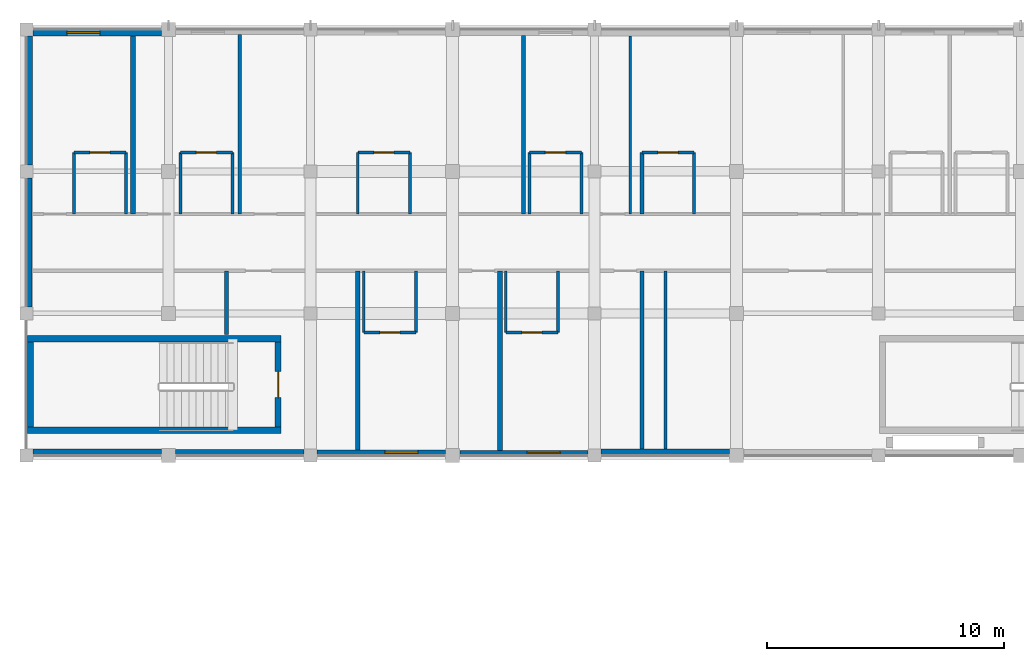
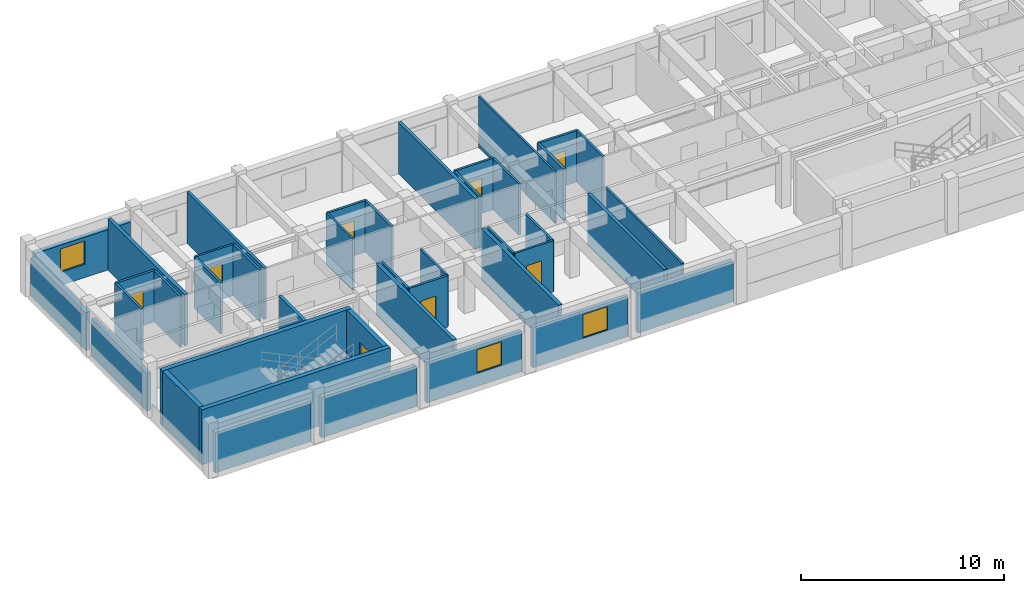
# One storey, part 9 of 22: 42 walls, 8 doors, 3 windows, 11 openings.
"""IFC4 building model written with IfcOpenShell, lengths in metres."""

from ifc_helpers import new_model, si_unit, direction, frame, frame_2d, origin, place, context, subcontext, project, spatial, rectangle, extrude, material, layer, layer_set, type_object, element, fill, save


model = new_model("IFC4")

# Units and contexts
model_context = context("Model", 3, precision=1e-05, world=origin(), true_north=direction((0.0, 1.0)))
body_context = subcontext(model_context, "Body", "Model", "MODEL_VIEW")
ifc_project = project(units=[si_unit("LENGTHUNIT", "METRE"), si_unit("AREAUNIT", "SQUARE_METRE"), si_unit("VOLUMEUNIT", "CUBIC_METRE"), si_unit("PLANEANGLEUNIT", "RADIAN"), si_unit("MASSUNIT", "GRAM", prefix="KILO"), si_unit("THERMODYNAMICTEMPERATUREUNIT", "KELVIN"), si_unit("POWERUNIT", "WATT")], contexts=[model_context])

# Site, building, storey
site_placement = place(None, origin())
site = spatial("IfcSite", under=ifc_project, at=site_placement, CompositionType="ELEMENT")
building_placement = place(site_placement, origin())
building = spatial("IfcBuilding", under=site, at=building_placement, Name="Phaisarnlok Congress Hotel", CompositionType="ELEMENT")
storey_placement = place(building_placement, frame((0.0, 0.0, 28.199951171875)))
storey = spatial("IfcBuildingStorey", under=building, at=storey_placement, Name="L06", CompositionType="ELEMENT", Elevation=28.199951171875)

# Wall, opening, window
ifc_material_1 = material(Name="Concrete C40/50", Category="concrete")
ifc_layer_1 = layer(ifc_material_1, 0.2099609375, Name="Concrete C40/50")
ifc_layer_set_1 = layer_set([ifc_layer_1], Name="Concrete C40/50")
wall_type_1 = type_object("IfcWallType", Name="WL-EXT-210", PredefinedType="SOLIDWALL", material=ifc_layer_set_1)
wall_1_placement = place(storey_placement, frame((84.304931640625, 108.10498046875, 0.0), z_axis=(0.0, 0.0, 1.0), x_axis=(1.0, 0.0, 0.0)))
wall_1 = element("IfcWall", 1, at=wall_1_placement, inside=storey, type_object=wall_type_1, Name="Exterior wall EW-07 (L06)", PredefinedType="SOLIDWALL", context=body_context, shape_type="SweptSolid", body=[
    extrude(rectangle(XDim=5.4150390625, YDim=0.2099609375, at=frame_2d((2.70751953125, 0.0))), origin(), (0.0, 0.0, 1.0), 2.429931640625),
])
opening_1_placement = place(wall_1_placement, frame((2.844970703125, 0.0, 0.800048828125)))
opening_1 = element("IfcOpeningElement", 2, at=opening_1_placement, cuts=wall_1, Name="Opening W-13", PredefinedType="OPENING", context=body_context, shape_type="SweptSolid", body=[
    extrude(rectangle(XDim=1.39990234375, YDim=1.39990234375, at=frame_2d((0.699951171875, 0.699951171875))), frame((0.0, 0.114990234375, 0.0), z_axis=(0.0, -1.0, 0.0), x_axis=(1.0, 0.0, 0.0)), (0.0, 0.0, 1.0), 0.22998046875),
])
ifc_material_2 = material(Name="Thermally Broken Aluminium & Low-E Double Glazing", Category="aluminium")
window_type = type_object("IfcWindowType", Name="WIN-POD-1400", PartitioningType="SINGLE_PANEL", PredefinedType="WINDOW", material=ifc_material_2)
window_1_placement = place(opening_1_placement, origin())
window_1 = element("IfcWindow", 3, at=window_1_placement, inside=storey, type_object=window_type, Name="Guestroom window W-13 (L06)", OverallHeight=1.39990234375, OverallWidth=1.39990234375, PartitioningType="SINGLE_PANEL", PredefinedType="WINDOW", context=body_context, shape_type="SweptSolid", body=[
    extrude(rectangle(XDim=1.39990234375, YDim=1.39990234375, at=frame_2d((0.699951171875, 0.699951171875))), frame((0.0, 0.030029296875, 0.0), z_axis=(0.0, -1.0, 0.0), x_axis=(1.0, 0.0, 0.0)), (0.0, 0.0, 1.0), 0.06005859375),
])
fill(opening_1, window_1)

# Wall
ifc_layer_2 = layer(ifc_material_1, 0.22998046875, Name="Concrete C40/50")
ifc_layer_set_2 = layer_set([ifc_layer_2], Name="Concrete C40/50")
wall_type_2 = type_object("IfcWallType", Name="WL-EXT-230", PredefinedType="SOLIDWALL", material=ifc_layer_set_2)
wall_2_placement = place(storey_placement, frame((66.114990234375, 119.719970703125, 0.0), z_axis=(0.0, 0.0, 1.0), x_axis=(0.0, -1.0, 0.0)))
element("IfcWall", 4, at=wall_2_placement, inside=storey, type_object=wall_type_2, Name="Exterior wall EW-06 (L06)", PredefinedType="SOLIDWALL", context=body_context, shape_type="SweptSolid", body=[
    extrude(rectangle(XDim=5.43994140625, YDim=0.22998046875, at=frame_2d((2.719970703125, 0.0))), origin(), (0.0, 0.0, 1.0), 2.280029296875),
])

# Wall, opening, window
wall_3_placement = place(storey_placement, frame((78.280029296875, 108.114990234375, 0.0), z_axis=(0.0, 0.0, 1.0), x_axis=(1.0, 0.0, 0.0)))
wall_3 = element("IfcWall", 5, at=wall_3_placement, inside=storey, type_object=wall_type_2, Name="Exterior wall EW-06 (L06)", PredefinedType="SOLIDWALL", context=body_context, shape_type="SweptSolid", body=[
    extrude(rectangle(XDim=5.4150390625, YDim=0.22998046875, at=frame_2d((2.70751953125, 0.0))), origin(), (0.0, 0.0, 1.0), 2.429931640625),
])
opening_2_placement = place(wall_3_placement, frame((2.85791015625, 0.0, 0.800048828125)))
opening_2 = element("IfcOpeningElement", 6, at=opening_2_placement, cuts=wall_3, Name="Opening W-13", PredefinedType="OPENING", context=body_context, shape_type="SweptSolid", body=[
    extrude(rectangle(XDim=1.39990234375, YDim=1.39990234375, at=frame_2d((0.699951171875, 0.699951171875))), frame((0.0, 0.125, 0.0), z_axis=(0.0, -1.0, 0.0), x_axis=(1.0, 0.0, 0.0)), (0.0, 0.0, 1.0), 0.25),
])
window_2_placement = place(opening_2_placement, origin())
window_2 = element("IfcWindow", 7, at=window_2_placement, inside=storey, type_object=window_type, Name="Guestroom window W-13 (L06)", OverallHeight=1.39990234375, OverallWidth=1.39990234375, PartitioningType="SINGLE_PANEL", PredefinedType="WINDOW", context=body_context, shape_type="SweptSolid", body=[
    extrude(rectangle(XDim=1.39990234375, YDim=1.39990234375, at=frame_2d((0.699951171875, 0.699951171875))), frame((0.0, 0.030029296875, 0.0), z_axis=(0.0, -1.0, 0.0), x_axis=(1.0, 0.0, 0.0)), (0.0, 0.0, 1.0), 0.06005859375),
])
fill(opening_2, window_2)

# Walls
ifc_layer_3 = layer(ifc_material_1, 0.25, Name="Concrete C40/50")
ifc_layer_set_3 = layer_set([ifc_layer_3], Name="Concrete C40/50")
wall_type_3 = type_object("IfcWallType", Name="WL-EXT-250", PredefinedType="SOLIDWALL", material=ifc_layer_set_3)
wall_4_placement = place(storey_placement, frame((66.125, 125.719970703125, 0.0), z_axis=(0.0, 0.0, 1.0), x_axis=(0.0, -1.0, 0.0)))
element("IfcWall", 8, at=wall_4_placement, inside=storey, type_object=wall_type_3, Name="Exterior wall EW-05 (L06)", PredefinedType="SOLIDWALL", context=body_context, shape_type="SweptSolid", body=[
    extrude(rectangle(XDim=5.43994140625, YDim=0.25, at=frame_2d((2.719970703125, 0.0))), origin(), (0.0, 0.0, 1.0), 2.280029296875),
])
wall_5_placement = place(storey_placement, frame((72.304931640625, 108.125, 0.0), z_axis=(0.0, 0.0, 1.0), x_axis=(1.0, 0.0, 0.0)))
element("IfcWall", 9, at=wall_5_placement, inside=storey, type_object=wall_type_3, Name="Exterior wall EW-05 (L06)", PredefinedType="SOLIDWALL", context=body_context, shape_type="SweptSolid", body=[
    extrude(rectangle(XDim=5.4150390625, YDim=0.25, at=frame_2d((2.70751953125, 0.0))), origin(), (0.0, 0.0, 1.0), 2.429931640625),
])

# Wall, opening, window
ifc_layer_4 = layer(ifc_material_1, 0.27001953125, Name="Concrete C40/50")
ifc_layer_set_4 = layer_set([ifc_layer_4], Name="Concrete C40/50")
wall_type_4 = type_object("IfcWallType", Name="WL-EXT-270", PredefinedType="SOLIDWALL", material=ifc_layer_set_4)
wall_6_placement = place(storey_placement, frame((71.695068359375, 125.864990234375, 0.0), z_axis=(0.0, 0.0, 1.0), x_axis=(-1.0, 0.0, 0.0)))
wall_6 = element("IfcWall", 10, at=wall_6_placement, inside=storey, type_object=wall_type_4, Name="Exterior wall EW-04 (L06)", PredefinedType="SOLIDWALL", context=body_context, shape_type="SweptSolid", body=[
    extrude(rectangle(XDim=5.4150390625, YDim=0.27001953125, at=frame_2d((2.70751953125, 0.0))), origin(), (0.0, 0.0, 1.0), 2.429931640625),
])
opening_3_placement = place(wall_6_placement, frame((2.594970703125, 0.0, 0.800048828125)))
opening_3 = element("IfcOpeningElement", 11, at=opening_3_placement, cuts=wall_6, Name="Opening W-13", PredefinedType="OPENING", context=body_context, shape_type="SweptSolid", body=[
    extrude(rectangle(XDim=1.39990234375, YDim=1.39990234375, at=frame_2d((0.699951171875, 0.699951171875))), frame((0.0, 0.14501953125, 0.0), z_axis=(0.0, -1.0, 0.0), x_axis=(1.0, 0.0, 0.0)), (0.0, 0.0, 1.0), 0.2900390625),
])
window_3_placement = place(opening_3_placement, origin())
window_3 = element("IfcWindow", 12, at=window_3_placement, inside=storey, type_object=window_type, Name="Guestroom window W-13 (L06)", OverallHeight=1.39990234375, OverallWidth=1.39990234375, PartitioningType="SINGLE_PANEL", PredefinedType="WINDOW", context=body_context, shape_type="SweptSolid", body=[
    extrude(rectangle(XDim=1.39990234375, YDim=1.39990234375, at=frame_2d((0.699951171875, 0.699951171875))), frame((0.0, 0.030029296875, 0.0), z_axis=(0.0, -1.0, 0.0), x_axis=(1.0, 0.0, 0.0)), (0.0, 0.0, 1.0), 0.06005859375),
])
fill(opening_3, window_3)

# Walls
for number, where, z_axis, x_axis, name in (
    (13, (66.280029296875, 108.135009765625, 0.0), (0.0, 0.0, 1.0), (1.0, 0.0, 0.0), "Exterior wall EW-04 (L06)"),
    (14, (90.280029296875, 108.135009765625, 0.0), (0.0, 0.0, 1.0), (1.0, 0.0, 0.0), "Exterior wall EW-04 (L06)"),
):
    element("IfcWall", number, at=place(storey_placement, frame(where, z_axis=z_axis, x_axis=x_axis)), inside=storey, type_object=wall_type_4, Name=name, PredefinedType="SOLIDWALL", context=body_context, shape_type="SweptSolid", body=[
        extrude(rectangle(XDim=5.4150390625, YDim=0.27001953125, at=frame_2d((2.70751953125, 0.0))), origin(), (0.0, 0.0, 1.0), 2.429931640625),
    ])
ifc_material_3 = material(Name="Service Riser Shaftwall Partition", Category="gypsum")
ifc_layer_5 = layer(ifc_material_3, 0.10498046875, Name="Service Riser Shaftwall Partition")
ifc_layer_set_5 = layer_set([ifc_layer_5], Name="Service Riser Shaftwall Partition")
wall_type_5 = type_object("IfcWallType", Name="WL-INT-105", PredefinedType="PARTITIONING", material=ifc_layer_set_5)
wall_7_placement = place(storey_placement, frame((80.0, 118.199951171875, 0.0), z_axis=(0.0, 0.0, 1.0), x_axis=(0.0, 1.0, 0.0)))
element("IfcWall", 15, at=wall_7_placement, inside=storey, type_object=wall_type_5, Name="Interior partition wall IW-08 (L06)", PredefinedType="PARTITIONING", context=body_context, shape_type="SweptSolid", body=[
    extrude(rectangle(XDim=2.60009765625, YDim=0.10498046875, at=frame_2d((1.300048828125, 0.0))), origin(), (0.0, 0.0, 1.0), 3.080078125),
])
wall_8_placement = place(storey_placement, frame((91.5, 118.199951171875, 0.0), z_axis=(0.0, 0.0, 1.0), x_axis=(0.0, 1.0, 0.0)))
element("IfcWall", 16, at=wall_8_placement, inside=storey, type_object=wall_type_5, Name="Interior partition wall IW-08 (L06)", PredefinedType="PARTITIONING", context=body_context, shape_type="SweptSolid", body=[
    extrude(rectangle(XDim=7.525146484375, YDim=0.10498046875, at=frame_2d((3.7626953125, 0.0))), origin(), (0.0, 0.0, 1.0), 3.080078125),
])
ifc_material_4 = material(Name="Lightweight Metal-Stud Gypsum Partition", Category="gypsum")
ifc_layer_6 = layer(ifc_material_4, 0.1201171875, Name="Lightweight Metal-Stud Gypsum Partition")
ifc_layer_set_6 = layer_set([ifc_layer_6], Name="Lightweight Metal-Stud Gypsum Partition")
wall_type_6 = type_object("IfcWallType", Name="WL-INT-120", PredefinedType="PARTITIONING", material=ifc_layer_set_6)
for number, where, z_axis, x_axis, name in (
    (17, (70.199951171875, 118.199951171875, 0.0), (0.0, 0.0, 1.0), (0.0, 1.0, 0.0), "Interior partition wall IW-07 (L06)"),
    (18, (72.5, 118.199951171875, 0.0), (0.0, 0.0, 1.0), (0.0, 1.0, 0.0), "Interior partition wall IW-07 (L06)"),
    (19, (74.699951171875, 118.199951171875, 0.0), (0.0, 0.0, 1.0), (0.0, 1.0, 0.0), "Interior partition wall IW-07 (L06)"),
    (20, (80.25, 113.199951171875, 0.0), (0.0, 0.0, 1.0), (0.0, 1.0, 0.0), "Interior partition wall IW-07 (L06)"),
    (21, (82.449951171875, 113.199951171875, 0.0), (0.0, 0.0, 1.0), (0.0, 1.0, 0.0), "Interior partition wall IW-07 (L06)"),
    (22, (86.25, 113.199951171875, 0.0), (0.0, 0.0, 1.0), (0.0, 1.0, 0.0), "Interior partition wall IW-07 (L06)"),
    (23, (87.25, 118.199951171875, 0.0), (0.0, 0.0, 1.0), (0.0, 1.0, 0.0), "Interior partition wall IW-07 (L06)"),
    (24, (89.449951171875, 118.199951171875, 0.0), (0.0, 0.0, 1.0), (0.0, 1.0, 0.0), "Interior partition wall IW-07 (L06)"),
):
    element("IfcWall", number, at=place(storey_placement, frame(where, z_axis=z_axis, x_axis=x_axis)), inside=storey, type_object=wall_type_6, Name=name, PredefinedType="PARTITIONING", context=body_context, shape_type="SweptSolid", body=[
        extrude(rectangle(XDim=2.60009765625, YDim=0.1201171875, at=frame_2d((1.300048828125, 0.0))), origin(), (0.0, 0.0, 1.0), 3.080078125),
    ])
wall_9_placement = place(storey_placement, frame((93.0, 108.27490234375, 0.0), z_axis=(0.0, 0.0, 1.0), x_axis=(0.0, 1.0, 0.0)))
element("IfcWall", 25, at=wall_9_placement, inside=storey, type_object=wall_type_6, Name="Interior partition wall IW-07 (L06)", PredefinedType="PARTITIONING", context=body_context, shape_type="SweptSolid", body=[
    extrude(rectangle(XDim=7.525146484375, YDim=0.1201171875, at=frame_2d((3.7626953125, 0.0))), origin(), (0.0, 0.0, 1.0), 3.080078125),
])

# Wall, opening, door
wall_10_placement = place(storey_placement, frame((86.25, 113.199951171875, 0.0), z_axis=(0.0, 0.0, 1.0), x_axis=(1.0, 0.0, 0.0)))
wall_10 = element("IfcWall", 26, at=wall_10_placement, inside=storey, type_object=wall_type_6, Name="Interior partition wall IW-07 (L06)", PredefinedType="PARTITIONING", context=body_context, shape_type="SweptSolid", body=[
    extrude(rectangle(XDim=2.199951171875, YDim=0.1201171875, at=frame_2d((1.10009765625, 0.0))), origin(), (0.0, 0.0, 1.0), 3.080078125),
])
opening_4_placement = place(wall_10_placement, frame((0.675048828125, 0.0, 0.0)))
opening_4 = element("IfcOpeningElement", 27, at=opening_4_placement, cuts=wall_10, Name="Opening D-0271", PredefinedType="OPENING", context=body_context, shape_type="SweptSolid", body=[
    extrude(rectangle(XDim=0.85009765625, YDim=2.10009765625, at=frame_2d((0.425048828125, 1.050048828125))), frame((0.0, 0.070068359375, 0.0), z_axis=(0.0, -1.0, 0.0), x_axis=(1.0, 0.0, 0.0)), (0.0, 0.0, 1.0), 0.14013671875),
])
ifc_material_5 = material(Name="Moisture-Resistant Lacquered Timber", Category="wood")
door_type_1 = type_object("IfcDoorType", Name="DR-BATH-850", OperationType="NOTDEFINED", PredefinedType="DOOR", material=ifc_material_5)
door_1_placement = place(opening_4_placement, origin())
door_1 = element("IfcDoor", 28, at=door_1_placement, inside=storey, type_object=door_type_1, Name="Interior door D-0271 (L06)", OperationType="SINGLE_SWING_RIGHT", OverallHeight=2.10009765625, OverallWidth=0.85009765625, PredefinedType="DOOR", context=body_context, shape_type="SweptSolid", body=[
    extrude(rectangle(XDim=0.85009765625, YDim=2.10009765625, at=frame_2d((0.425048828125, 1.050048828125))), frame((0.0, 0.02490234375, 0.0), z_axis=(0.0, -1.0, 0.0), x_axis=(1.0, 0.0, 0.0)), (0.0, 0.0, 1.0), 0.050048828125),
])
fill(opening_4, door_1)

wall_11_placement = place(storey_placement, frame((72.5, 120.800048828125, 0.0), z_axis=(0.0, 0.0, 1.0), x_axis=(1.0, 0.0, 0.0)))
wall_11 = element("IfcWall", 29, at=wall_11_placement, inside=storey, type_object=wall_type_6, Name="Interior partition wall IW-07 (L06)", PredefinedType="PARTITIONING", context=body_context, shape_type="SweptSolid", body=[
    extrude(rectangle(XDim=2.199951171875, YDim=0.1201171875, at=frame_2d((1.10009765625, 0.0))), origin(), (0.0, 0.0, 1.0), 3.080078125),
])
opening_5_placement = place(wall_11_placement, frame((0.675048828125, 0.0, 0.0)))
opening_5 = element("IfcOpeningElement", 30, at=opening_5_placement, cuts=wall_11, Name="Opening D-0235", PredefinedType="OPENING", context=body_context, shape_type="SweptSolid", body=[
    extrude(rectangle(XDim=0.85009765625, YDim=2.10009765625, at=frame_2d((0.425048828125, 1.050048828125))), frame((0.0, 0.070068359375, 0.0), z_axis=(0.0, -1.0, 0.0), x_axis=(1.0, 0.0, 0.0)), (0.0, 0.0, 1.0), 0.14013671875),
])
door_2_placement = place(opening_5_placement, origin())
door_2 = element("IfcDoor", 31, at=door_2_placement, inside=storey, type_object=door_type_1, Name="Interior door D-0235 (L06)", OperationType="SINGLE_SWING_RIGHT", OverallHeight=2.10009765625, OverallWidth=0.85009765625, PredefinedType="DOOR", context=body_context, shape_type="SweptSolid", body=[
    extrude(rectangle(XDim=0.85009765625, YDim=2.10009765625, at=frame_2d((0.425048828125, 1.050048828125))), frame((0.0, 0.02490234375, 0.0), z_axis=(0.0, -1.0, 0.0), x_axis=(1.0, 0.0, 0.0)), (0.0, 0.0, 1.0), 0.050048828125),
])
fill(opening_5, door_2)

wall_12_placement = place(storey_placement, frame((87.25, 120.800048828125, 0.0), z_axis=(0.0, 0.0, 1.0), x_axis=(1.0, 0.0, 0.0)))
wall_12 = element("IfcWall", 32, at=wall_12_placement, inside=storey, type_object=wall_type_6, Name="Interior partition wall IW-07 (L06)", PredefinedType="PARTITIONING", context=body_context, shape_type="SweptSolid", body=[
    extrude(rectangle(XDim=2.199951171875, YDim=0.1201171875, at=frame_2d((1.10009765625, 0.0))), origin(), (0.0, 0.0, 1.0), 3.080078125),
])
opening_6_placement = place(wall_12_placement, frame((0.675048828125, 0.0, 0.0)))
opening_6 = element("IfcOpeningElement", 33, at=opening_6_placement, cuts=wall_12, Name="Opening D-0239", PredefinedType="OPENING", context=body_context, shape_type="SweptSolid", body=[
    extrude(rectangle(XDim=0.85009765625, YDim=2.10009765625, at=frame_2d((0.425048828125, 1.050048828125))), frame((0.0, 0.070068359375, 0.0), z_axis=(0.0, -1.0, 0.0), x_axis=(1.0, 0.0, 0.0)), (0.0, 0.0, 1.0), 0.14013671875),
])
door_3_placement = place(opening_6_placement, origin())
door_3 = element("IfcDoor", 34, at=door_3_placement, inside=storey, type_object=door_type_1, Name="Interior door D-0239 (L06)", OperationType="SINGLE_SWING_RIGHT", OverallHeight=2.10009765625, OverallWidth=0.85009765625, PredefinedType="DOOR", context=body_context, shape_type="SweptSolid", body=[
    extrude(rectangle(XDim=0.85009765625, YDim=2.10009765625, at=frame_2d((0.425048828125, 1.050048828125))), frame((0.0, 0.02490234375, 0.0), z_axis=(0.0, -1.0, 0.0), x_axis=(1.0, 0.0, 0.0)), (0.0, 0.0, 1.0), 0.050048828125),
])
fill(opening_6, door_3)

# Walls
ifc_material_6 = material(Name="Moisture-Resistant Gypsum Partition", Category="gypsum")
ifc_layer_7 = layer(ifc_material_6, 0.135009765625, Name="Moisture-Resistant Gypsum Partition")
ifc_layer_set_7 = layer_set([ifc_layer_7], Name="Moisture-Resistant Gypsum Partition")
wall_type_7 = type_object("IfcWallType", Name="WL-INT-135", PredefinedType="PARTITIONING", material=ifc_layer_set_7)
for number, where, z_axis, x_axis, name in (
    (35, (68.0, 118.199951171875, 0.0), (0.0, 0.0, 1.0), (0.0, 1.0, 0.0), "Interior partition wall IW-06 (L06)"),
    (36, (82.199951171875, 118.199951171875, 0.0), (0.0, 0.0, 1.0), (0.0, 1.0, 0.0), "Interior partition wall IW-06 (L06)"),
    (37, (88.449951171875, 113.199951171875, 0.0), (0.0, 0.0, 1.0), (0.0, 1.0, 0.0), "Interior partition wall IW-06 (L06)"),
    (38, (94.199951171875, 118.199951171875, 0.0), (0.0, 0.0, 1.0), (0.0, 1.0, 0.0), "Interior partition wall IW-06 (L06)"),
):
    element("IfcWall", number, at=place(storey_placement, frame(where, z_axis=z_axis, x_axis=x_axis)), inside=storey, type_object=wall_type_7, Name=name, PredefinedType="PARTITIONING", context=body_context, shape_type="SweptSolid", body=[
        extrude(rectangle(XDim=2.60009765625, YDim=0.135009765625, at=frame_2d((1.300048828125, 0.0))), origin(), (0.0, 0.0, 1.0), 3.080078125),
    ])

# Wall, opening, door
wall_13_placement = place(storey_placement, frame((80.25, 113.199951171875, 0.0), z_axis=(0.0, 0.0, 1.0), x_axis=(1.0, 0.0, 0.0)))
wall_13 = element("IfcWall", 39, at=wall_13_placement, inside=storey, type_object=wall_type_7, Name="Interior partition wall IW-06 (L06)", PredefinedType="PARTITIONING", context=body_context, shape_type="SweptSolid", body=[
    extrude(rectangle(XDim=2.199951171875, YDim=0.135009765625, at=frame_2d((1.10009765625, 0.0))), origin(), (0.0, 0.0, 1.0), 3.080078125),
])
opening_7_placement = place(wall_13_placement, frame((0.675048828125, 0.0, 0.0)))
opening_7 = element("IfcOpeningElement", 40, at=opening_7_placement, cuts=wall_13, Name="Opening D-0269", PredefinedType="OPENING", context=body_context, shape_type="SweptSolid", body=[
    extrude(rectangle(XDim=0.85009765625, YDim=2.10009765625, at=frame_2d((0.425048828125, 1.050048828125))), frame((0.0, 0.07763671875, 0.0), z_axis=(0.0, -1.0, 0.0), x_axis=(1.0, 0.0, 0.0)), (0.0, 0.0, 1.0), 0.155029296875),
])
door_4_placement = place(opening_7_placement, origin())
door_4 = element("IfcDoor", 41, at=door_4_placement, inside=storey, type_object=door_type_1, Name="Interior door D-0269 (L06)", OperationType="SINGLE_SWING_RIGHT", OverallHeight=2.10009765625, OverallWidth=0.85009765625, PredefinedType="DOOR", context=body_context, shape_type="SweptSolid", body=[
    extrude(rectangle(XDim=0.85009765625, YDim=2.10009765625, at=frame_2d((0.425048828125, 1.050048828125))), frame((0.0, 0.02490234375, 0.0), z_axis=(0.0, -1.0, 0.0), x_axis=(1.0, 0.0, 0.0)), (0.0, 0.0, 1.0), 0.050048828125),
])
fill(opening_7, door_4)

wall_14_placement = place(storey_placement, frame((68.0, 120.800048828125, 0.0), z_axis=(0.0, 0.0, 1.0), x_axis=(1.0, 0.0, 0.0)))
wall_14 = element("IfcWall", 42, at=wall_14_placement, inside=storey, type_object=wall_type_7, Name="Interior partition wall IW-06 (L06)", PredefinedType="PARTITIONING", context=body_context, shape_type="SweptSolid", body=[
    extrude(rectangle(XDim=2.199951171875, YDim=0.135009765625, at=frame_2d((1.10009765625, 0.0))), origin(), (0.0, 0.0, 1.0), 3.080078125),
])
opening_8_placement = place(wall_14_placement, frame((0.675048828125, 0.0, 0.0)))
opening_8 = element("IfcOpeningElement", 43, at=opening_8_placement, cuts=wall_14, Name="Opening D-0233", PredefinedType="OPENING", context=body_context, shape_type="SweptSolid", body=[
    extrude(rectangle(XDim=0.85009765625, YDim=2.10009765625, at=frame_2d((0.425048828125, 1.050048828125))), frame((0.0, 0.07763671875, 0.0), z_axis=(0.0, -1.0, 0.0), x_axis=(1.0, 0.0, 0.0)), (0.0, 0.0, 1.0), 0.155029296875),
])
door_5_placement = place(opening_8_placement, origin())
door_5 = element("IfcDoor", 44, at=door_5_placement, inside=storey, type_object=door_type_1, Name="Interior door D-0233 (L06)", OperationType="SINGLE_SWING_RIGHT", OverallHeight=2.10009765625, OverallWidth=0.85009765625, PredefinedType="DOOR", context=body_context, shape_type="SweptSolid", body=[
    extrude(rectangle(XDim=0.85009765625, YDim=2.10009765625, at=frame_2d((0.425048828125, 1.050048828125))), frame((0.0, 0.02490234375, 0.0), z_axis=(0.0, -1.0, 0.0), x_axis=(1.0, 0.0, 0.0)), (0.0, 0.0, 1.0), 0.050048828125),
])
fill(opening_8, door_5)

wall_15_placement = place(storey_placement, frame((80.0, 120.800048828125, 0.0), z_axis=(0.0, 0.0, 1.0), x_axis=(1.0, 0.0, 0.0)))
wall_15 = element("IfcWall", 45, at=wall_15_placement, inside=storey, type_object=wall_type_7, Name="Interior partition wall IW-06 (L06)", PredefinedType="PARTITIONING", context=body_context, shape_type="SweptSolid", body=[
    extrude(rectangle(XDim=2.199951171875, YDim=0.135009765625, at=frame_2d((1.10009765625, 0.0))), origin(), (0.0, 0.0, 1.0), 3.080078125),
])
opening_9_placement = place(wall_15_placement, frame((0.675048828125, 0.0, 0.0)))
opening_9 = element("IfcOpeningElement", 46, at=opening_9_placement, cuts=wall_15, Name="Opening D-0237", PredefinedType="OPENING", context=body_context, shape_type="SweptSolid", body=[
    extrude(rectangle(XDim=0.85009765625, YDim=2.10009765625, at=frame_2d((0.425048828125, 1.050048828125))), frame((0.0, 0.07763671875, 0.0), z_axis=(0.0, -1.0, 0.0), x_axis=(1.0, 0.0, 0.0)), (0.0, 0.0, 1.0), 0.155029296875),
])
door_6_placement = place(opening_9_placement, origin())
door_6 = element("IfcDoor", 47, at=door_6_placement, inside=storey, type_object=door_type_1, Name="Interior door D-0237 (L06)", OperationType="SINGLE_SWING_RIGHT", OverallHeight=2.10009765625, OverallWidth=0.85009765625, PredefinedType="DOOR", context=body_context, shape_type="SweptSolid", body=[
    extrude(rectangle(XDim=0.85009765625, YDim=2.10009765625, at=frame_2d((0.425048828125, 1.050048828125))), frame((0.0, 0.02490234375, 0.0), z_axis=(0.0, -1.0, 0.0), x_axis=(1.0, 0.0, 0.0)), (0.0, 0.0, 1.0), 0.050048828125),
])
fill(opening_9, door_6)

wall_16_placement = place(storey_placement, frame((92.0, 120.800048828125, 0.0), z_axis=(0.0, 0.0, 1.0), x_axis=(1.0, 0.0, 0.0)))
wall_16 = element("IfcWall", 48, at=wall_16_placement, inside=storey, type_object=wall_type_7, Name="Interior partition wall IW-06 (L06)", PredefinedType="PARTITIONING", context=body_context, shape_type="SweptSolid", body=[
    extrude(rectangle(XDim=2.199951171875, YDim=0.135009765625, at=frame_2d((1.10009765625, 0.0))), origin(), (0.0, 0.0, 1.0), 3.080078125),
])
opening_10_placement = place(wall_16_placement, frame((0.675048828125, 0.0, 0.0)))
opening_10 = element("IfcOpeningElement", 49, at=opening_10_placement, cuts=wall_16, Name="Opening D-0241", PredefinedType="OPENING", context=body_context, shape_type="SweptSolid", body=[
    extrude(rectangle(XDim=0.85009765625, YDim=2.10009765625, at=frame_2d((0.425048828125, 1.050048828125))), frame((0.0, 0.07763671875, 0.0), z_axis=(0.0, -1.0, 0.0), x_axis=(1.0, 0.0, 0.0)), (0.0, 0.0, 1.0), 0.155029296875),
])
door_7_placement = place(opening_10_placement, origin())
door_7 = element("IfcDoor", 50, at=door_7_placement, inside=storey, type_object=door_type_1, Name="Interior door D-0241 (L06)", OperationType="SINGLE_SWING_RIGHT", OverallHeight=2.10009765625, OverallWidth=0.85009765625, PredefinedType="DOOR", context=body_context, shape_type="SweptSolid", body=[
    extrude(rectangle(XDim=0.85009765625, YDim=2.10009765625, at=frame_2d((0.425048828125, 1.050048828125))), frame((0.0, 0.02490234375, 0.0), z_axis=(0.0, -1.0, 0.0), x_axis=(1.0, 0.0, 0.0)), (0.0, 0.0, 1.0), 0.050048828125),
])
fill(opening_10, door_7)

# Walls
ifc_material_7 = material(Name="Acoustic Gypsum Board & Mineral Wool", Category="gypsum")
ifc_layer_8 = layer(ifc_material_7, 0.14990234375, Name="Acoustic Gypsum Board & Mineral Wool")
ifc_layer_set_8 = layer_set([ifc_layer_8], Name="Acoustic Gypsum Board & Mineral Wool")
wall_type_8 = type_object("IfcWallType", Name="WL-INT-150", PredefinedType="PARTITIONING", material=ifc_layer_set_8)
wall_17_placement = place(storey_placement, frame((75.0, 118.199951171875, 0.0), z_axis=(0.0, 0.0, 1.0), x_axis=(0.0, 1.0, 0.0)))
element("IfcWall", 51, at=wall_17_placement, inside=storey, type_object=wall_type_8, Name="Interior partition wall IW-05 (L06)", PredefinedType="PARTITIONING", context=body_context, shape_type="SweptSolid", body=[
    extrude(rectangle(XDim=7.5849609375, YDim=0.14990234375, at=frame_2d((3.79248046875, 0.0))), origin(), (0.0, 0.0, 1.0), 3.080078125),
])
ifc_material_8 = material(Name="Double-Stud Acoustic Gypsum Partition", Category="gypsum")
ifc_layer_9 = layer(ifc_material_8, 0.159912109375, Name="Double-Stud Acoustic Gypsum Partition")
ifc_layer_set_9 = layer_set([ifc_layer_9], Name="Double-Stud Acoustic Gypsum Partition")
wall_type_9 = type_object("IfcWallType", Name="WL-INT-160", PredefinedType="PARTITIONING", material=ifc_layer_set_9)
wall_18_placement = place(storey_placement, frame((92.0, 118.199951171875, 0.0), z_axis=(0.0, 0.0, 1.0), x_axis=(0.0, 1.0, 0.0)))
element("IfcWall", 52, at=wall_18_placement, inside=storey, type_object=wall_type_9, Name="Interior partition wall IW-04 (L06)", PredefinedType="PARTITIONING", context=body_context, shape_type="SweptSolid", body=[
    extrude(rectangle(XDim=2.60009765625, YDim=0.159912109375, at=frame_2d((1.300048828125, 0.0))), origin(), (0.0, 0.0, 1.0), 3.080078125),
])
ifc_material_9 = material(Name="Autoclaved Aerated Concrete Block", Category="concrete")
ifc_layer_10 = layer(ifc_material_9, 0.179931640625, Name="Autoclaved Aerated Concrete Block")
ifc_layer_set_10 = layer_set([ifc_layer_10], Name="Autoclaved Aerated Concrete Block")
wall_type_10 = type_object("IfcWallType", Name="WL-INT-180", PredefinedType="PARTITIONING", material=ifc_layer_set_10)
wall_19_placement = place(storey_placement, frame((74.449951171875, 113.1201171875, 0.0), z_axis=(0.0, 0.0, 1.0), x_axis=(0.0, 1.0, 0.0)))
element("IfcWall", 53, at=wall_19_placement, inside=storey, type_object=wall_type_10, Name="Interior partition wall IW-03 (L06)", PredefinedType="PARTITIONING", context=body_context, shape_type="SweptSolid", body=[
    extrude(rectangle(XDim=2.679931640625, YDim=0.179931640625, at=frame_2d((1.33984375, 0.0))), origin(), (0.0, 0.0, 1.0), 3.080078125),
])
wall_20_placement = place(storey_placement, frame((87.0, 118.199951171875, 0.0), z_axis=(0.0, 0.0, 1.0), x_axis=(0.0, 1.0, 0.0)))
element("IfcWall", 54, at=wall_20_placement, inside=storey, type_object=wall_type_10, Name="Interior partition wall IW-03 (L06)", PredefinedType="PARTITIONING", context=body_context, shape_type="SweptSolid", body=[
    extrude(rectangle(XDim=7.545166015625, YDim=0.179931640625, at=frame_2d((3.7724609375, 0.0))), origin(), (0.0, 0.0, 1.0), 3.080078125),
])
wall_21_placement = place(storey_placement, frame((92.0, 108.27490234375, 0.0), z_axis=(0.0, 0.0, 1.0), x_axis=(0.0, 1.0, 0.0)))
element("IfcWall", 55, at=wall_21_placement, inside=storey, type_object=wall_type_10, Name="Interior partition wall IW-03 (L06)", PredefinedType="PARTITIONING", context=body_context, shape_type="SweptSolid", body=[
    extrude(rectangle(XDim=7.525146484375, YDim=0.179931640625, at=frame_2d((3.7626953125, 0.0))), origin(), (0.0, 0.0, 1.0), 3.080078125),
])
ifc_layer_11 = layer(ifc_material_9, 0.199951171875, Name="Autoclaved Aerated Concrete Block")
ifc_layer_set_11 = layer_set([ifc_layer_11], Name="Autoclaved Aerated Concrete Block")
wall_type_11 = type_object("IfcWallType", Name="WL-INT-200", PredefinedType="PARTITIONING", material=ifc_layer_set_11)
wall_22_placement = place(storey_placement, frame((70.5, 118.199951171875, 0.0), z_axis=(0.0, 0.0, 1.0), x_axis=(0.0, 1.0, 0.0)))
element("IfcWall", 56, at=wall_22_placement, inside=storey, type_object=wall_type_11, Name="Interior partition wall IW-02 (L06)", PredefinedType="PARTITIONING", context=body_context, shape_type="SweptSolid", body=[
    extrude(rectangle(XDim=7.525146484375, YDim=0.199951171875, at=frame_2d((3.7626953125, 0.0))), origin(), (0.0, 0.0, 1.0), 3.080078125),
])
wall_23_placement = place(storey_placement, frame((80.0, 108.235107421875, 0.0), z_axis=(0.0, 0.0, 1.0), x_axis=(0.0, 1.0, 0.0)))
element("IfcWall", 57, at=wall_23_placement, inside=storey, type_object=wall_type_11, Name="Interior partition wall IW-02 (L06)", PredefinedType="PARTITIONING", context=body_context, shape_type="SweptSolid", body=[
    extrude(rectangle(XDim=7.56494140625, YDim=0.199951171875, at=frame_2d((3.782470703125, 0.0))), origin(), (0.0, 0.0, 1.0), 3.080078125),
])
wall_24_placement = place(storey_placement, frame((86.0, 108.215087890625, 0.0), z_axis=(0.0, 0.0, 1.0), x_axis=(0.0, 1.0, 0.0)))
element("IfcWall", 58, at=wall_24_placement, inside=storey, type_object=wall_type_11, Name="Interior partition wall IW-02 (L06)", PredefinedType="PARTITIONING", context=body_context, shape_type="SweptSolid", body=[
    extrude(rectangle(XDim=7.5849609375, YDim=0.199951171875, at=frame_2d((3.79248046875, 0.0))), origin(), (0.0, 0.0, 1.0), 3.080078125),
])
ifc_material_10 = material(Name="Concrete C50/60", Category="concrete")
ifc_layer_12 = layer(ifc_material_10, 0.260009765625, Name="Concrete C50/60")
ifc_layer_set_12 = layer_set([ifc_layer_12], Name="Concrete C50/60")
wall_type_12 = type_object("IfcWallType", Name="WL-SHR-260", PredefinedType="SHEAR", material=ifc_layer_set_12)
for number, where, z_axis, x_axis, name in (
    (59, (66.0400390625, 109.070068359375, 0.0), (0.0, 0.0, 1.0), (1.0, 0.0, 0.0), "Stair shaft shear wall SW-04 (STAIR-HW L06)"),
    (60, (66.0400390625, 112.929931640625, 0.0), (0.0, 0.0, 1.0), (1.0, 0.0, 0.0), "Stair shaft shear wall SW-04 (STAIR-HW L06)"),
):
    element("IfcWall", number, at=place(storey_placement, frame(where, z_axis=z_axis, x_axis=x_axis)), inside=storey, type_object=wall_type_12, Name=name, PredefinedType="SHEAR", context=body_context, shape_type="SweptSolid", body=[
        extrude(rectangle(XDim=10.719970703125, YDim=0.260009765625, at=frame_2d((5.35986328125, 0.0))), origin(), (0.0, 0.0, 1.0), 3.300048828125),
    ])

# Wall, opening, door
wall_25_placement = place(storey_placement, frame((76.6298828125, 109.199951171875, 0.0), z_axis=(0.0, 0.0, 1.0), x_axis=(0.0, 1.0, 0.0)))
wall_25 = element("IfcWall", 61, at=wall_25_placement, inside=storey, type_object=wall_type_12, Name="Stair shaft shear wall SW-04 (STAIR-HW L06)", PredefinedType="SHEAR", context=body_context, shape_type="SweptSolid", body=[
    extrude(rectangle(XDim=3.60009765625, YDim=0.260009765625, at=frame_2d((1.800048828125, 0.0))), origin(), (0.0, 0.0, 1.0), 3.300048828125),
])
opening_11_placement = place(wall_25_placement, frame((1.25, 0.0, 0.0)))
opening_11 = element("IfcOpeningElement", 62, at=opening_11_placement, cuts=wall_25, Name="Opening FD-152", PredefinedType="OPENING", context=body_context, shape_type="SweptSolid", body=[
    extrude(rectangle(XDim=1.10009765625, YDim=2.14990234375, at=frame_2d((0.550048828125, 1.074951171875))), frame((0.0, 0.14013671875, 0.0), z_axis=(0.0, -1.0, 0.0), x_axis=(1.0, 0.0, 0.0)), (0.0, 0.0, 1.0), 0.280029296875),
])
ifc_material_11 = material(Name="Fire-Rated Steel Frame & Timber Leaf", Category="steel")
door_type_2 = type_object("IfcDoorType", Name="DR-FD60-1100", OperationType="NOTDEFINED", PredefinedType="DOOR", material=ifc_material_11)
door_8_placement = place(opening_11_placement, origin())
door_8 = element("IfcDoor", 63, at=door_8_placement, inside=storey, type_object=door_type_2, Name="Stair enclosure fire door FD-152 (L06)", OperationType="SINGLE_SWING_LEFT", OverallHeight=2.14990234375, OverallWidth=1.10009765625, PredefinedType="DOOR", context=body_context, shape_type="SweptSolid", body=[
    extrude(rectangle(XDim=1.10009765625, YDim=2.14990234375, at=frame_2d((0.550048828125, 1.074951171875))), frame((0.0, 0.02490234375, 0.0), z_axis=(0.0, -1.0, 0.0), x_axis=(1.0, 0.0, 0.0)), (0.0, 0.0, 1.0), 0.050048828125),
])
fill(opening_11, door_8)

# Wall
ifc_layer_13 = layer(ifc_material_10, 0.260009765625, Name="Concrete C50/60")
ifc_layer_set_13 = layer_set([ifc_layer_13], Name="Concrete C50/60")
wall_type_13 = type_object("IfcWallType", Name="WL-SHR-260-EXT", PredefinedType="SHEAR", material=ifc_layer_set_13)
wall_26_placement = place(storey_placement, frame((66.169921875, 109.199951171875, 0.0), z_axis=(0.0, 0.0, 1.0), x_axis=(0.0, 1.0, 0.0)))
element("IfcWall", 64, at=wall_26_placement, inside=storey, type_object=wall_type_13, Name="Stair shaft shear wall SW-04E (STAIR-HW L06)", PredefinedType="SHEAR", context=body_context, shape_type="SweptSolid", body=[
    extrude(rectangle(XDim=3.60009765625, YDim=0.260009765625, at=frame_2d((1.800048828125, 0.0))), origin(), (0.0, 0.0, 1.0), 3.300048828125),
])

save(model, "model.ifc")
